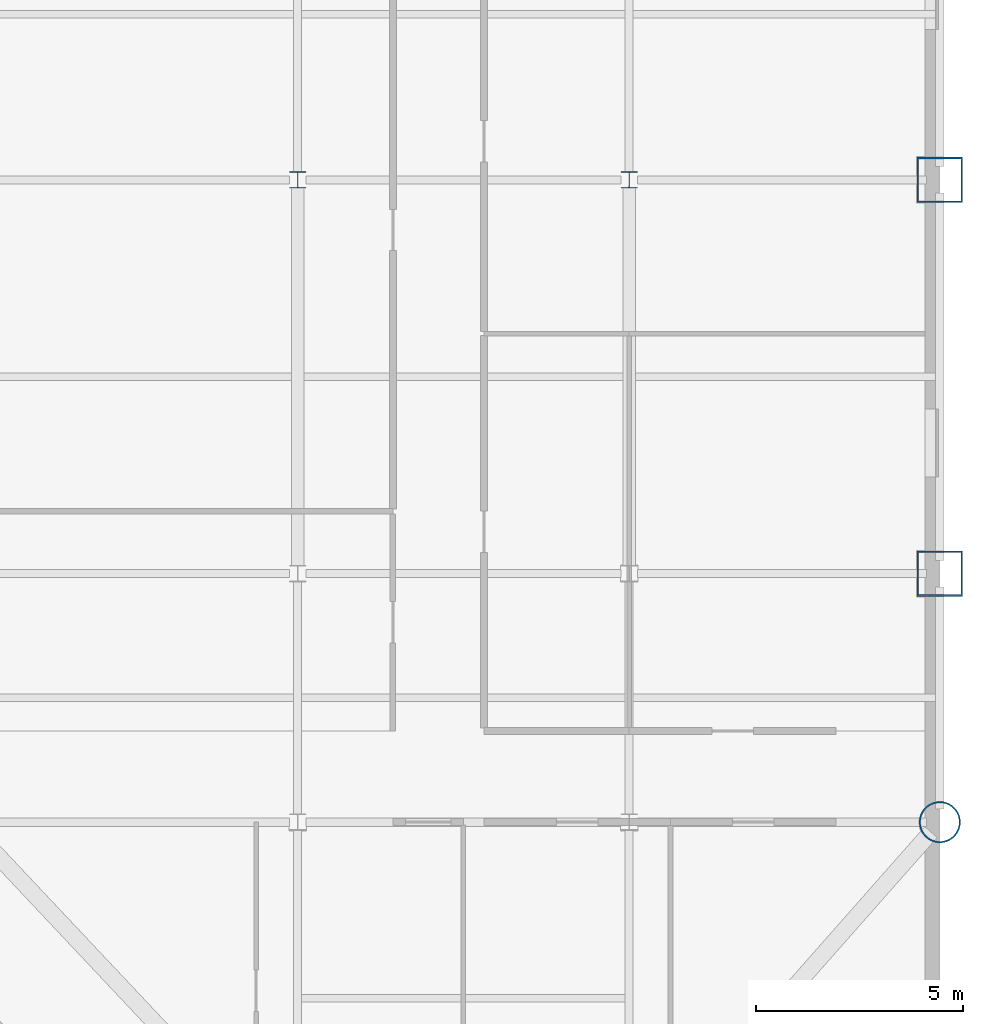
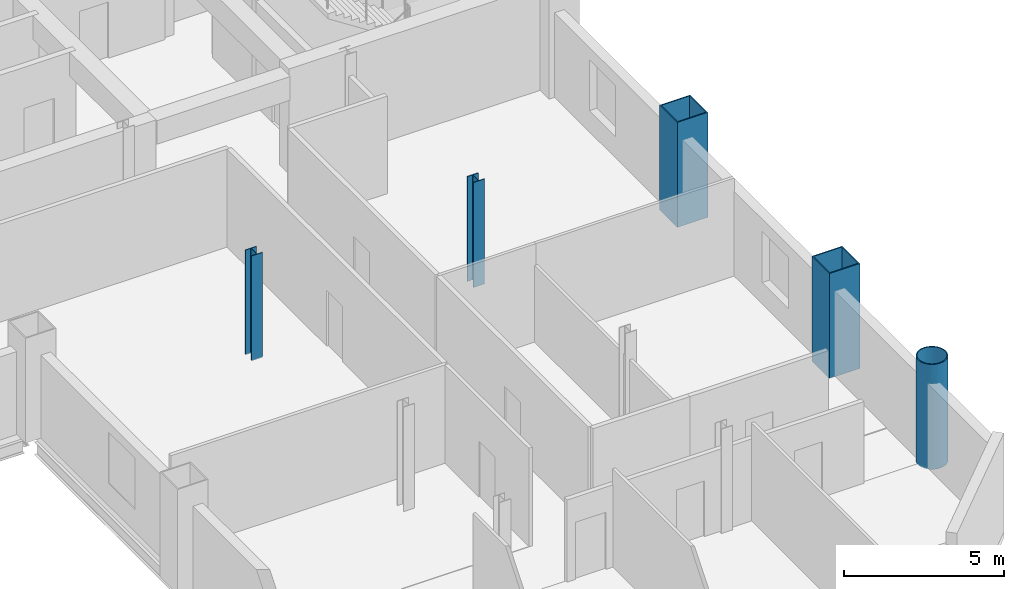
# One storey, part 2 of 10: 5 columns.
"""IFC4 building model written with IfcOpenShell, lengths in metres."""

from ifc_helpers import new_model, si_unit, direction, frame, origin, origin_2d, place, context, subcontext, project, spatial, hollow_rectangle, hollow_circle, i_section, extrude, material, material_profile, profile_set, type_object, element, save


model = new_model("IFC4")

# Units and contexts
model_context = context("Model", 3, precision=1e-05, world=origin(), true_north=direction((0.0, 1.0)))
body_context = subcontext(model_context, "Body", "Model", "MODEL_VIEW")
ifc_project = project(units=[si_unit("LENGTHUNIT", "METRE"), si_unit("AREAUNIT", "SQUARE_METRE"), si_unit("VOLUMEUNIT", "CUBIC_METRE"), si_unit("PLANEANGLEUNIT", "RADIAN"), si_unit("MASSUNIT", "GRAM", prefix="KILO")], contexts=[model_context])

# Site, building, storey
site_placement = place(None, origin())
site = spatial("IfcSite", under=ifc_project, at=site_placement, CompositionType="ELEMENT")
building_placement = place(site_placement, origin())
building = spatial("IfcBuilding", under=site, at=building_placement, Name="Qianrong Seaharbour Tower", CompositionType="ELEMENT")
storey_placement = place(building_placement, frame((0.0, 0.0, 179.0)))
storey = spatial("IfcBuildingStorey", under=building, at=storey_placement, Name="L43", CompositionType="ELEMENT", Elevation=179.0)

# Columns
ifc_material = material(Name="Structural steel SN490B", Category="steel")
ifc_material_profile_1 = material_profile(ifc_material, hollow_rectangle(XDim=1.10009765625, YDim=1.10009765625, WallThickness=0.0400390625, at=origin_2d()), Name="BOX1100x1100x40")
ifc_profile_set_1 = profile_set([ifc_material_profile_1], Name="Structural steel SN490B")
column_type_1 = type_object("IfcColumnType", Name="COL-CFT-1100", PredefinedType="COLUMN", material=ifc_profile_set_1)
for number, where, z_axis, x_axis, name in (
    (1, (64.0, 18.5, 0.0), (0.0, 0.0, 1.0), (1.0, 0.0, 0.0), "L43 Column MC-3 at G9/GD"),
    (2, (64.0, 28.0, 0.0), (0.0, 0.0, 1.0), (1.0, 0.0, 0.0), "L43 Column MC-3 at G9/GE"),
):
    element("IfcColumn", number, at=place(storey_placement, frame(where, z_axis=z_axis, x_axis=x_axis)), inside=storey, type_object=column_type_1, Name=name, PredefinedType="COLUMN", context=body_context, shape_type="SweptSolid", body=[
        extrude(hollow_rectangle(XDim=1.10009765625, YDim=1.10009765625, WallThickness=0.0400390625, at=origin_2d()), origin(), (0.0, 0.0, 1.0), 4.0),
    ])
ifc_material_profile_2 = material_profile(ifc_material, hollow_circle(Radius=0.5, WallThickness=0.035888671875, at=origin_2d()), Name="CHS1000x36")
ifc_profile_set_2 = profile_set([ifc_material_profile_2], Name="Structural steel SN490B")
column_type_2 = type_object("IfcColumnType", Name="COL-CHS-1000", PredefinedType="COLUMN", material=ifc_profile_set_2)
column_placement = place(storey_placement, frame((64.0, 12.5, 0.0), z_axis=(0.0, 0.0, 1.0), x_axis=(1.0, 0.0, 0.0)))
element("IfcColumn", 3, at=column_placement, inside=storey, type_object=column_type_2, Name="L43 Column CC-2 at G9/GC", PredefinedType="COLUMN", context=body_context, shape_type="SweptSolid", body=[
    extrude(hollow_circle(Radius=0.5, WallThickness=0.035888671875, at=origin_2d()), origin(), (0.0, 0.0, 1.0), 4.0),
])
ifc_material_profile_3 = material_profile(ifc_material, i_section(OverallWidth=0.39990234375, OverallDepth=0.39990234375, WebThickness=0.012939453125, FlangeThickness=0.02099609375, FilletRadius=0.02197265625, at=origin_2d()), Name="H400x400x13x21")
ifc_profile_set_3 = profile_set([ifc_material_profile_3], Name="Structural steel SN490B")
column_type_3 = type_object("IfcColumnType", Name="COL-INT-H400", PredefinedType="COLUMN", material=ifc_profile_set_3)
for number, where, z_axis, x_axis, name in (
    (4, (48.5, 28.0, 0.0), (0.0, 0.0, 1.0), (1.0, 0.0, 0.0), "L43 Column IC-3 at G7/GE"),
    (5, (56.5, 28.0, 0.0), (0.0, 0.0, 1.0), (1.0, 0.0, 0.0), "L43 Column IC-3 at G8/GE"),
):
    element("IfcColumn", number, at=place(storey_placement, frame(where, z_axis=z_axis, x_axis=x_axis)), inside=storey, type_object=column_type_3, Name=name, PredefinedType="COLUMN", context=body_context, shape_type="SweptSolid", body=[
        extrude(i_section(OverallWidth=0.39990234375, OverallDepth=0.39990234375, WebThickness=0.012939453125, FlangeThickness=0.02099609375, FilletRadius=0.02197265625, at=origin_2d()), origin(), (0.0, 0.0, 1.0), 4.0),
    ])

save(model, "model.ifc")
